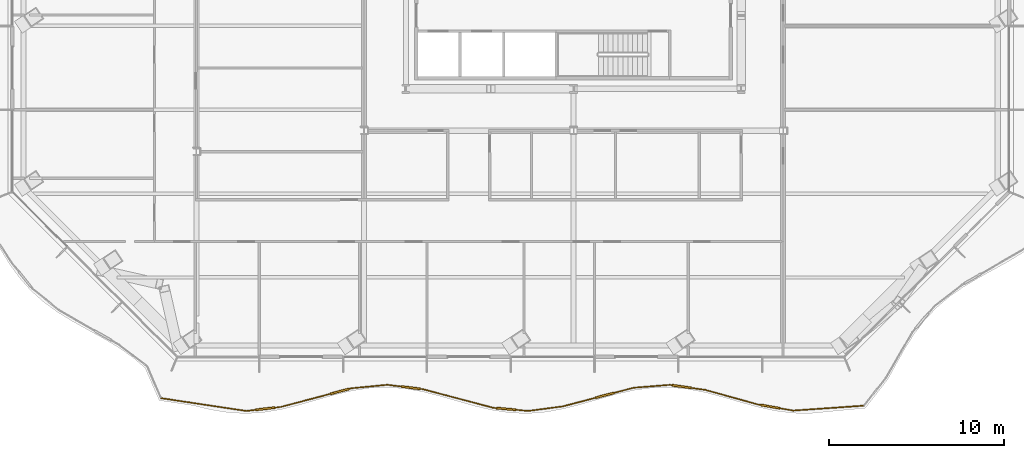
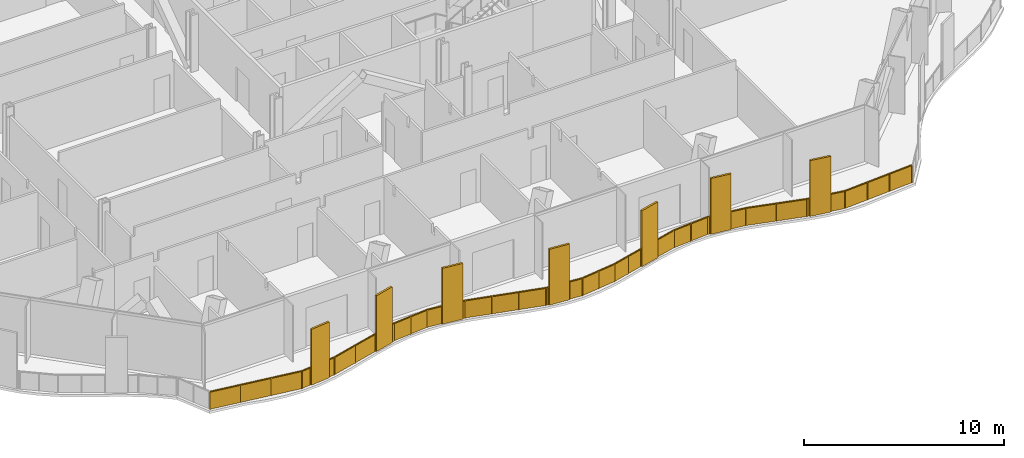
# One storey, part 13 of 20: 1 railing.
"""IFC4 building model written with IfcOpenShell, lengths in metres."""

from ifc_helpers import new_model, si_unit, direction, frame, origin, origin_2d, place, context, subcontext, project, spatial, polyline, rectangle, outline, extrude, material, type_object, element, save


model = new_model("IFC4")

# Units and contexts
model_context = context("Model", 3, precision=1e-05, world=origin(), true_north=direction((0.0, 1.0)))
body_context = subcontext(model_context, "Body", "Model", "MODEL_VIEW")
ifc_project = project(units=[si_unit("LENGTHUNIT", "METRE"), si_unit("AREAUNIT", "SQUARE_METRE"), si_unit("VOLUMEUNIT", "CUBIC_METRE"), si_unit("PLANEANGLEUNIT", "RADIAN"), si_unit("MASSUNIT", "GRAM", prefix="KILO")], contexts=[model_context])

# Site, building, storey
site_placement = place(None, origin())
site = spatial("IfcSite", under=ifc_project, at=site_placement, CompositionType="ELEMENT")
building_placement = place(site_placement, origin())
building = spatial("IfcBuilding", under=site, at=building_placement, Name="Cairn Pilgrim Tower", CompositionType="ELEMENT")
storey_placement = place(building_placement, frame((0.0, 0.0, 101.39990234375)))
storey = spatial("IfcBuildingStorey", under=building, at=storey_placement, Name="L24", CompositionType="ELEMENT", Elevation=101.39990234375)

# Railing
ifc_material = material(Name="Bronze anodised aluminium rail, posts and fin screens with laminated glass infill", Category="aluminium")
railing_type = type_object("IfcRailingType", Name="BALCONY GUARD WITH FIN SCREENS", PredefinedType="GUARDRAIL", material=ifc_material)
railing_placement = place(storey_placement, frame((-16.427734375, -23.714111328125, 0.0)))
element("IfcRailing", 1, at=railing_placement, inside=storey, type_object=railing_type, Name="Balcony guard BGF-1 with fin screens", PredefinedType="GUARDRAIL", context=body_context, shape_type="SweptSolid", body=[
    extrude(rectangle(XDim=0.050048828125, YDim=0.050048828125, at=origin_2d()), frame((0.0, 0.0, 1.0751953125), z_axis=(0.988832173269, -0.14903332885, 0.0), x_axis=(0.14903332885, 0.988832173269, 0.0)), (0.0, 0.0, 1.0), 4.927490234375),
    extrude(rectangle(XDim=1.10009765625, YDim=0.110107421875, at=origin_2d()), frame((5.97021484375, -0.60791015625, 0.0), z_axis=(0.0, 0.0, 1.0), x_axis=(0.993432928059, 0.114415984232, 0.0)), (0.0, 0.0, 1.0), 3.39990234375),
    extrude(rectangle(XDim=0.050048828125, YDim=0.050048828125, at=origin_2d()), frame((4.87255859375, -0.734375, 1.0751953125), z_axis=(0.993432928059, 0.114415984232, 0.0), x_axis=(-0.114415984232, 0.993432928059, 0.0)), (0.0, 0.0, 1.0), 0.554931640625),
    extrude(rectangle(XDim=0.050048828125, YDim=0.050048828125, at=origin_2d()), frame((6.5166015625, -0.544921875, 1.0751953125), z_axis=(0.993432928059, 0.114415984232, 0.0), x_axis=(-0.114415984232, 0.993432928059, 0.0)), (0.0, 0.0, 1.0), 0.3486328125),
    extrude(rectangle(XDim=1.10009765625, YDim=0.110107421875, at=origin_2d()), frame((10.2294921875, 0.385009765625, 0.0), z_axis=(0.0, 0.0, 1.0), x_axis=(0.966774423228, 0.255631012579, 0.0)), (0.0, 0.0, 1.0), 3.39990234375),
    extrude(rectangle(XDim=0.050048828125, YDim=0.050048828125, at=origin_2d()), frame((6.863037109375, -0.505126953125, 1.0751953125), z_axis=(0.966774423228, 0.255631012579, 0.0), x_axis=(-0.255631012579, 0.966774423228, 0.0)), (0.0, 0.0, 1.0), 2.932373046875),
    extrude(rectangle(XDim=0.050048828125, YDim=0.050048828125, at=origin_2d()), frame((10.76123046875, 0.525634765625, 1.0751953125), z_axis=(0.966774423228, 0.255631012579, 0.0), x_axis=(-0.255631012579, 0.966774423228, 0.0)), (0.0, 0.0, 1.0), 0.14990234375),
    extrude(rectangle(XDim=0.050048828125, YDim=0.050048828125, at=origin_2d()), frame((10.90625, 0.56396484375, 1.0751953125), z_axis=(0.995264569772, 0.097203066605, 0.0), x_axis=(-0.097203066605, 0.995264569772, 0.0)), (0.0, 0.0, 1.0), 2.0595703125),
    extrude(rectangle(XDim=1.10009765625, YDim=0.110107421875, at=origin_2d()), frame((14.308837890625, 0.5966796875, 0.0), z_axis=(0.0, 0.0, 1.0), x_axis=(0.992413807438, -0.122942404427, 0.0)), (0.0, 0.0, 1.0), 3.39990234375),
    extrude(rectangle(XDim=0.050048828125, YDim=0.050048828125, at=origin_2d()), frame((12.9560546875, 0.76416015625, 1.0751953125), z_axis=(0.992413807438, -0.122942404427, 0.0), x_axis=(0.122942404427, 0.992413807438, 0.0)), (0.0, 0.0, 1.0), 0.813232421875),
    extrude(rectangle(XDim=0.050048828125, YDim=0.050048828125, at=origin_2d()), frame((14.854736328125, 0.529052734375, 1.0751953125), z_axis=(0.992413807438, -0.122942404427, 0.0), x_axis=(0.122942404427, 0.992413807438, 0.0)), (0.0, 0.0, 1.0), 0.150146484375),
    extrude(rectangle(XDim=0.050048828125, YDim=0.050048828125, at=origin_2d()), frame((15.003662109375, 0.510498046875, 1.0751953125), z_axis=(0.966875925822, -0.255246829686, 0.0), x_axis=(0.255246829686, 0.966875925822, 0.0)), (0.0, 0.0, 1.0), 4.177978515625),
    extrude(rectangle(XDim=1.10009765625, YDim=0.110107421875, at=origin_2d()), frame((19.76318359375, -0.61962890625, 0.0), z_axis=(0.0, 0.0, 1.0), x_axis=(0.99609581812, -0.088278656105, 0.0)), (0.0, 0.0, 1.0), 3.39990234375),
    extrude(rectangle(XDim=0.050048828125, YDim=0.050048828125, at=origin_2d()), frame((19.043212890625, -0.555908203125, 1.0751953125), z_axis=(0.99609581812, -0.088278656105, 0.0), x_axis=(0.088278656105, 0.99609581812, 0.0)), (0.0, 0.0, 1.0), 0.1728515625),
    extrude(rectangle(XDim=0.050048828125, YDim=0.050048828125, at=origin_2d()), frame((20.31103515625, -0.668212890625, 1.0751953125), z_axis=(0.99609581812, -0.088278656105, 0.0), x_axis=(0.088278656105, 0.99609581812, 0.0)), (0.0, 0.0, 1.0), 0.7265625),
    extrude(rectangle(XDim=0.050048828125, YDim=0.050048828125, at=origin_2d()), frame((21.034912109375, -0.732421875, 1.0751953125), z_axis=(0.991366131511, 0.13112281759, 0.0), x_axis=(-0.13112281759, 0.991366131511, 0.0)), (0.0, 0.0, 1.0), 2.0126953125),
    extrude(rectangle(XDim=1.10009765625, YDim=0.110107421875, at=origin_2d()), frame((25.408447265625, 0.15771484375, 0.0), z_axis=(0.0, 0.0, 1.0), x_axis=(0.967046563714, 0.254599575035, 0.0)), (0.0, 0.0, 1.0), 3.39990234375),
    extrude(rectangle(XDim=0.050048828125, YDim=0.050048828125, at=origin_2d()), frame((23.0302734375, -0.468505859375, 1.0751953125), z_axis=(0.967046563714, 0.254599575035, 0.0), x_axis=(-0.254599575035, 0.967046563714, 0.0)), (0.0, 0.0, 1.0), 1.909423828125),
    extrude(rectangle(XDim=0.050048828125, YDim=0.050048828125, at=origin_2d()), frame((25.9404296875, 0.297607421875, 1.0751953125), z_axis=(0.967046563714, 0.254599575035, 0.0), x_axis=(-0.254599575035, 0.967046563714, 0.0)), (0.0, 0.0, 1.0), 1.174560546875),
    extrude(rectangle(XDim=0.050048828125, YDim=0.050048828125, at=origin_2d()), frame((27.076171875, 0.5966796875, 1.0751953125), z_axis=(0.996843515889, 0.07939146573, 0.0), x_axis=(-0.07939146573, 0.996843515889, 0.0)), (0.0, 0.0, 1.0), 2.057373046875),
    extrude(rectangle(XDim=1.10009765625, YDim=0.110107421875, at=origin_2d()), frame((29.820068359375, 0.662353515625, 0.0), z_axis=(0.0, 0.0, 1.0), x_axis=(0.990242578632, -0.139354352151, 0.0)), (0.0, 0.0, 1.0), 3.39990234375),
    extrude(rectangle(XDim=0.050048828125, YDim=0.050048828125, at=origin_2d()), frame((29.126953125, 0.760009765625, 1.0751953125), z_axis=(0.990242578632, -0.139354352151, 0.0), x_axis=(0.139354352151, 0.990242578632, 0.0)), (0.0, 0.0, 1.0), 0.150146484375),
    extrude(rectangle(XDim=0.050048828125, YDim=0.050048828125, at=origin_2d()), frame((30.36474609375, 0.585693359375, 1.0751953125), z_axis=(0.990242578632, -0.139354352151, 0.0), x_axis=(0.139354352151, 0.990242578632, 0.0)), (0.0, 0.0, 1.0), 0.817138671875),
    extrude(rectangle(XDim=0.050048828125, YDim=0.050048828125, at=origin_2d()), frame((31.174072265625, 0.471923828125, 1.0751953125), z_axis=(0.963756408174, -0.266783780809, 0.0), x_axis=(0.266783780809, 0.963756408174, 0.0)), (0.0, 0.0, 1.0), 3.14794921875),
    extrude(rectangle(XDim=1.10009765625, YDim=0.110107421875, at=origin_2d()), frame((34.897705078125, -0.48681640625, 0.0), z_axis=(0.0, 0.0, 1.0), x_axis=(0.985449674135, -0.169967466732, 0.0)), (0.0, 0.0, 1.0), 3.39990234375),
    extrude(rectangle(XDim=0.050048828125, YDim=0.050048828125, at=origin_2d()), frame((34.2080078125, -0.367919921875, 1.0751953125), z_axis=(0.985449674135, -0.169967466732, 0.0), x_axis=(0.169967466732, 0.985449674135, 0.0)), (0.0, 0.0, 1.0), 0.14990234375),
    extrude(rectangle(XDim=0.050048828125, YDim=0.050048828125, at=origin_2d()), frame((35.439697265625, -0.580322265625, 1.0751953125), z_axis=(0.985449674135, -0.169967466732, 0.0), x_axis=(0.169967466732, 0.985449674135, 0.0)), (0.0, 0.0, 1.0), 0.775390625),
    extrude(rectangle(XDim=0.050048828125, YDim=0.050048828125, at=origin_2d()), frame((36.203857421875, -0.712158203125, 1.0751953125), z_axis=(0.997623408225, 0.068902361081, 0.0), x_axis=(-0.068902361081, 0.997623408225, 0.0)), (0.0, 0.0, 1.0), 4.010986328125),
    extrude(rectangle(XDim=0.050048828125, YDim=0.050048828125, at=origin_2d()), origin(), (0.0, 0.0, 1.0), 1.050048828125),
    extrude(rectangle(XDim=0.050048828125, YDim=0.050048828125, at=origin_2d()), frame((1.624267578125, -0.244873046875, 0.0)), (0.0, 0.0, 1.0), 1.050048828125),
    extrude(rectangle(XDim=0.050048828125, YDim=0.050048828125, at=origin_2d()), frame((3.248291015625, -0.489501953125, 0.0)), (0.0, 0.0, 1.0), 1.050048828125),
    extrude(rectangle(XDim=0.050048828125, YDim=0.050048828125, at=origin_2d()), frame((4.87255859375, -0.734375, 0.0)), (0.0, 0.0, 1.0), 1.050048828125),
    extrude(rectangle(XDim=0.050048828125, YDim=0.050048828125, at=origin_2d()), frame((5.39892578125, -0.673828125, 0.0)), (0.0, 0.0, 1.0), 1.050048828125),
    extrude(rectangle(XDim=0.050048828125, YDim=0.050048828125, at=origin_2d()), frame((6.54150390625, -0.542236328125, 0.0)), (0.0, 0.0, 1.0), 1.050048828125),
    extrude(rectangle(XDim=0.050048828125, YDim=0.050048828125, at=origin_2d()), frame((6.863037109375, -0.505126953125, 0.0)), (0.0, 0.0, 1.0), 1.050048828125),
    extrude(rectangle(XDim=0.050048828125, YDim=0.050048828125, at=origin_2d()), frame((8.268310546875, -0.133544921875, 0.0)), (0.0, 0.0, 1.0), 1.050048828125),
    extrude(rectangle(XDim=0.050048828125, YDim=0.050048828125, at=origin_2d()), frame((9.673583984375, 0.238037109375, 0.0)), (0.0, 0.0, 1.0), 1.050048828125),
    extrude(rectangle(XDim=0.050048828125, YDim=0.050048828125, at=origin_2d()), frame((10.78564453125, 0.531982421875, 0.0)), (0.0, 0.0, 1.0), 1.050048828125),
    extrude(rectangle(XDim=0.050048828125, YDim=0.050048828125, at=origin_2d()), frame((10.90625, 0.56396484375, 0.0)), (0.0, 0.0, 1.0), 1.050048828125),
    extrude(rectangle(XDim=0.050048828125, YDim=0.050048828125, at=origin_2d()), frame((11.93115234375, 0.6640625, 0.0)), (0.0, 0.0, 1.0), 1.050048828125),
    extrude(rectangle(XDim=0.050048828125, YDim=0.050048828125, at=origin_2d()), frame((12.9560546875, 0.76416015625, 0.0)), (0.0, 0.0, 1.0), 1.050048828125),
    extrude(rectangle(XDim=0.050048828125, YDim=0.050048828125, at=origin_2d()), frame((13.73828125, 0.667236328125, 0.0)), (0.0, 0.0, 1.0), 1.050048828125),
    extrude(rectangle(XDim=0.050048828125, YDim=0.050048828125, at=origin_2d()), frame((14.879638671875, 0.52587890625, 0.0)), (0.0, 0.0, 1.0), 1.050048828125),
    extrude(rectangle(XDim=0.050048828125, YDim=0.050048828125, at=origin_2d()), frame((15.003662109375, 0.510498046875, 0.0)), (0.0, 0.0, 1.0), 1.050048828125),
    extrude(rectangle(XDim=0.050048828125, YDim=0.050048828125, at=origin_2d()), frame((16.35009765625, 0.155029296875, 0.0)), (0.0, 0.0, 1.0), 1.050048828125),
    extrude(rectangle(XDim=0.050048828125, YDim=0.050048828125, at=origin_2d()), frame((17.69677734375, -0.200439453125, 0.0)), (0.0, 0.0, 1.0), 1.050048828125),
    extrude(rectangle(XDim=0.050048828125, YDim=0.050048828125, at=origin_2d()), frame((19.043212890625, -0.555908203125, 0.0)), (0.0, 0.0, 1.0), 1.050048828125),
    extrude(rectangle(XDim=0.050048828125, YDim=0.050048828125, at=origin_2d()), frame((19.1904296875, -0.56884765625, 0.0)), (0.0, 0.0, 1.0), 1.050048828125),
    extrude(rectangle(XDim=0.050048828125, YDim=0.050048828125, at=origin_2d()), frame((20.3359375, -0.67041015625, 0.0)), (0.0, 0.0, 1.0), 1.050048828125),
    extrude(rectangle(XDim=0.050048828125, YDim=0.050048828125, at=origin_2d()), frame((21.034912109375, -0.732421875, 0.0)), (0.0, 0.0, 1.0), 1.050048828125),
    extrude(rectangle(XDim=0.050048828125, YDim=0.050048828125, at=origin_2d()), frame((22.03271484375, -0.6005859375, 0.0)), (0.0, 0.0, 1.0), 1.050048828125),
    extrude(rectangle(XDim=0.050048828125, YDim=0.050048828125, at=origin_2d()), frame((23.0302734375, -0.468505859375, 0.0)), (0.0, 0.0, 1.0), 1.050048828125),
    extrude(rectangle(XDim=0.050048828125, YDim=0.050048828125, at=origin_2d()), frame((23.94140625, -0.228515625, 0.0)), (0.0, 0.0, 1.0), 1.050048828125),
    extrude(rectangle(XDim=0.050048828125, YDim=0.050048828125, at=origin_2d()), frame((24.8525390625, 0.01123046875, 0.0)), (0.0, 0.0, 1.0), 1.050048828125),
    extrude(rectangle(XDim=0.050048828125, YDim=0.050048828125, at=origin_2d()), frame((25.964599609375, 0.303955078125, 0.0)), (0.0, 0.0, 1.0), 1.050048828125),
    extrude(rectangle(XDim=0.050048828125, YDim=0.050048828125, at=origin_2d()), frame((27.076171875, 0.5966796875, 0.0)), (0.0, 0.0, 1.0), 1.050048828125),
    extrude(rectangle(XDim=0.050048828125, YDim=0.050048828125, at=origin_2d()), frame((28.1015625, 0.67822265625, 0.0)), (0.0, 0.0, 1.0), 1.050048828125),
    extrude(rectangle(XDim=0.050048828125, YDim=0.050048828125, at=origin_2d()), frame((29.126953125, 0.760009765625, 0.0)), (0.0, 0.0, 1.0), 1.050048828125),
    extrude(rectangle(XDim=0.050048828125, YDim=0.050048828125, at=origin_2d()), frame((29.250732421875, 0.74267578125, 0.0)), (0.0, 0.0, 1.0), 1.050048828125),
    extrude(rectangle(XDim=0.050048828125, YDim=0.050048828125, at=origin_2d()), frame((30.3896484375, 0.582275390625, 0.0)), (0.0, 0.0, 1.0), 1.050048828125),
    extrude(rectangle(XDim=0.050048828125, YDim=0.050048828125, at=origin_2d()), frame((31.174072265625, 0.471923828125, 0.0)), (0.0, 0.0, 1.0), 1.050048828125),
    extrude(rectangle(XDim=0.050048828125, YDim=0.050048828125, at=origin_2d()), frame((32.69091796875, 0.052001953125, 0.0)), (0.0, 0.0, 1.0), 1.050048828125),
    extrude(rectangle(XDim=0.050048828125, YDim=0.050048828125, at=origin_2d()), frame((34.2080078125, -0.367919921875, 0.0)), (0.0, 0.0, 1.0), 1.050048828125),
    extrude(rectangle(XDim=0.050048828125, YDim=0.050048828125, at=origin_2d()), frame((34.3310546875, -0.38916015625, 0.0)), (0.0, 0.0, 1.0), 1.050048828125),
    extrude(rectangle(XDim=0.050048828125, YDim=0.050048828125, at=origin_2d()), frame((35.46435546875, -0.584716796875, 0.0)), (0.0, 0.0, 1.0), 1.050048828125),
    extrude(rectangle(XDim=0.050048828125, YDim=0.050048828125, at=origin_2d()), frame((36.203857421875, -0.712158203125, 0.0)), (0.0, 0.0, 1.0), 1.050048828125),
    extrude(rectangle(XDim=0.050048828125, YDim=0.050048828125, at=origin_2d()), frame((37.53759765625, -0.6201171875, 0.0)), (0.0, 0.0, 1.0), 1.050048828125),
    extrude(rectangle(XDim=0.050048828125, YDim=0.050048828125, at=origin_2d()), frame((38.87158203125, -0.52783203125, 0.0)), (0.0, 0.0, 1.0), 1.050048828125),
    extrude(rectangle(XDim=0.050048828125, YDim=0.050048828125, at=origin_2d()), frame((40.205322265625, -0.435791015625, 0.0)), (0.0, 0.0, 1.0), 1.050048828125),
    extrude(outline(polyline([(0.02490234375, 0.0), (1.617431640625, 0.0), (1.617431640625, 1.050048828125), (0.02490234375, 1.050048828125), (0.02490234375, 0.0)])), frame((0.0009765625, 0.005859375, 0.0), z_axis=(-0.14903332885, -0.988832173269, 0.0), x_axis=(0.988832173269, -0.14903332885, 0.0)), (0.0, 0.0, 1.0), 0.011962890625),
    extrude(outline(polyline([(0.02490234375, 0.0), (1.617431640625, 0.0), (1.617431640625, 1.050048828125), (0.02490234375, 1.050048828125), (0.02490234375, 0.0)])), frame((1.625, -0.23876953125, 0.0), z_axis=(-0.14903332885, -0.988832173269, 0.0), x_axis=(0.988832173269, -0.14903332885, 0.0)), (0.0, 0.0, 1.0), 0.011962890625),
    extrude(outline(polyline([(0.02490234375, 0.0), (1.617431640625, 0.0), (1.617431640625, 1.050048828125), (0.02490234375, 1.050048828125), (0.02490234375, 0.0)])), frame((3.249267578125, -0.483642578125, 0.0), z_axis=(-0.14903332885, -0.988832173269, 0.0), x_axis=(0.988832173269, -0.14903332885, 0.0)), (0.0, 0.0, 1.0), 0.011962890625),
    extrude(outline(polyline([(0.02490234375, 0.0), (0.5048828125, 0.0), (0.5048828125, 1.050048828125), (0.02490234375, 1.050048828125), (0.02490234375, 0.0)])), frame((4.871826171875, -0.728515625, 0.0), z_axis=(0.114415984232, -0.993432928059, 0.0), x_axis=(0.993432928059, 0.114415984232, 0.0)), (0.0, 0.0, 1.0), 0.011962890625),
    extrude(outline(polyline([(0.02490234375, 0.0), (0.298583984375, 0.0), (0.298583984375, 1.050048828125), (0.02490234375, 1.050048828125), (0.02490234375, 0.0)])), frame((6.540771484375, -0.5361328125, 0.0), z_axis=(0.114415984232, -0.993432928059, 0.0), x_axis=(0.993432928059, 0.114415984232, 0.0)), (0.0, 0.0, 1.0), 0.011962890625),
    extrude(outline(polyline([(0.02490234375, 0.0), (1.4287109375, 0.0), (1.4287109375, 1.050048828125), (0.02490234375, 1.050048828125), (0.02490234375, 0.0)])), frame((6.861572265625, -0.499267578125, 0.0), z_axis=(0.255631012579, -0.966774423228, 0.0), x_axis=(0.966774423228, 0.255631012579, 0.0)), (0.0, 0.0, 1.0), 0.011962890625),
    extrude(outline(polyline([(0.02490234375, 0.0), (1.4287109375, 0.0), (1.4287109375, 1.050048828125), (0.02490234375, 1.050048828125), (0.02490234375, 0.0)])), frame((8.266845703125, -0.127685546875, 0.0), z_axis=(0.255631012579, -0.966774423228, 0.0), x_axis=(0.966774423228, 0.255631012579, 0.0)), (0.0, 0.0, 1.0), 0.011962890625),
    extrude(outline(polyline([(0.02490234375, 0.0), (0.099853515625, 0.0), (0.099853515625, 1.050048828125), (0.02490234375, 1.050048828125), (0.02490234375, 0.0)])), frame((10.783935546875, 0.537841796875, 0.0), z_axis=(0.255631012579, -0.966774423228, 0.0), x_axis=(0.966774423228, 0.255631012579, 0.0)), (0.0, 0.0, 1.0), 0.011962890625),
    extrude(outline(polyline([(0.02490234375, 0.0), (1.004638671875, 0.0), (1.004638671875, 1.050048828125), (0.02490234375, 1.050048828125), (0.02490234375, 0.0)])), frame((10.90576171875, 0.56982421875, 0.0), z_axis=(0.097203066605, -0.995264569772, 0.0), x_axis=(0.995264569772, 0.097203066605, 0.0)), (0.0, 0.0, 1.0), 0.011962890625),
    extrude(outline(polyline([(0.02490234375, 0.0), (1.004638671875, 0.0), (1.004638671875, 1.050048828125), (0.02490234375, 1.050048828125), (0.02490234375, 0.0)])), frame((11.9306640625, 0.669921875, 0.0), z_axis=(0.097203066605, -0.995264569772, 0.0), x_axis=(0.995264569772, 0.097203066605, 0.0)), (0.0, 0.0, 1.0), 0.011962890625),
    extrude(outline(polyline([(0.02490234375, 0.0), (0.76318359375, 0.0), (0.76318359375, 1.050048828125), (0.02490234375, 1.050048828125), (0.02490234375, 0.0)])), frame((12.956787109375, 0.77001953125, 0.0), z_axis=(-0.122942404427, -0.992413807438, 0.0), x_axis=(0.992413807438, -0.122942404427, 0.0)), (0.0, 0.0, 1.0), 0.011962890625),
    extrude(outline(polyline([(0.02490234375, 0.0), (0.10009765625, 0.0), (0.10009765625, 1.050048828125), (0.02490234375, 1.050048828125), (0.02490234375, 0.0)])), frame((14.88037109375, 0.53173828125, 0.0), z_axis=(-0.122942404427, -0.992413807438, 0.0), x_axis=(0.992413807438, -0.122942404427, 0.0)), (0.0, 0.0, 1.0), 0.011962890625),
    extrude(outline(polyline([(0.02490234375, 0.0), (1.36767578125, 0.0), (1.36767578125, 1.050048828125), (0.02490234375, 1.050048828125), (0.02490234375, 0.0)])), frame((15.005126953125, 0.516357421875, 0.0), z_axis=(-0.255246829686, -0.966875925822, 0.0), x_axis=(0.966875925822, -0.255246829686, 0.0)), (0.0, 0.0, 1.0), 0.011962890625),
    extrude(outline(polyline([(0.02490234375, 0.0), (1.36767578125, 0.0), (1.36767578125, 1.050048828125), (0.02490234375, 1.050048828125), (0.02490234375, 0.0)])), frame((16.351806640625, 0.160888671875, 0.0), z_axis=(-0.255246829686, -0.966875925822, 0.0), x_axis=(0.966875925822, -0.255246829686, 0.0)), (0.0, 0.0, 1.0), 0.011962890625),
    extrude(outline(polyline([(0.02490234375, 0.0), (1.36767578125, 0.0), (1.36767578125, 1.050048828125), (0.02490234375, 1.050048828125), (0.02490234375, 0.0)])), frame((17.6982421875, -0.194580078125, 0.0), z_axis=(-0.255246829686, -0.966875925822, 0.0), x_axis=(0.966875925822, -0.255246829686, 0.0)), (0.0, 0.0, 1.0), 0.011962890625),
    extrude(outline(polyline([(0.02490234375, 0.0), (0.122802734375, 0.0), (0.122802734375, 1.050048828125), (0.02490234375, 1.050048828125), (0.02490234375, 0.0)])), frame((19.043701171875, -0.550048828125, 0.0), z_axis=(-0.088278656105, -0.99609581812, 0.0), x_axis=(0.99609581812, -0.088278656105, 0.0)), (0.0, 0.0, 1.0), 0.011962890625),
    extrude(outline(polyline([(0.02490234375, 0.0), (0.676513671875, 0.0), (0.676513671875, 1.050048828125), (0.02490234375, 1.050048828125), (0.02490234375, 0.0)])), frame((20.33642578125, -0.66455078125, 0.0), z_axis=(-0.088278656105, -0.99609581812, 0.0), x_axis=(0.99609581812, -0.088278656105, 0.0)), (0.0, 0.0, 1.0), 0.011962890625),
    extrude(outline(polyline([(0.02490234375, 0.0), (0.9814453125, 0.0), (0.9814453125, 1.050048828125), (0.02490234375, 1.050048828125), (0.02490234375, 0.0)])), frame((21.0341796875, -0.7265625, 0.0), z_axis=(0.13112281759, -0.991366131511, 0.0), x_axis=(0.991366131511, 0.13112281759, 0.0)), (0.0, 0.0, 1.0), 0.011962890625),
    extrude(outline(polyline([(0.02490234375, 0.0), (0.9814453125, 0.0), (0.9814453125, 1.050048828125), (0.02490234375, 1.050048828125), (0.02490234375, 0.0)])), frame((22.03173828125, -0.594482421875, 0.0), z_axis=(0.13112281759, -0.991366131511, 0.0), x_axis=(0.991366131511, 0.13112281759, 0.0)), (0.0, 0.0, 1.0), 0.011962890625),
    extrude(outline(polyline([(0.02490234375, 0.0), (0.917236328125, 0.0), (0.917236328125, 1.050048828125), (0.02490234375, 1.050048828125), (0.02490234375, 0.0)])), frame((23.02880859375, -0.462646484375, 0.0), z_axis=(0.254599575035, -0.967046563714, 0.0), x_axis=(0.967046563714, 0.254599575035, 0.0)), (0.0, 0.0, 1.0), 0.011962890625),
    extrude(outline(polyline([(0.02490234375, 0.0), (0.917236328125, 0.0), (0.917236328125, 1.050048828125), (0.02490234375, 1.050048828125), (0.02490234375, 0.0)])), frame((23.93994140625, -0.222900390625, 0.0), z_axis=(0.254599575035, -0.967046563714, 0.0), x_axis=(0.967046563714, 0.254599575035, 0.0)), (0.0, 0.0, 1.0), 0.011962890625),
    extrude(outline(polyline([(0.02490234375, 0.0), (1.12451171875, 0.0), (1.12451171875, 1.050048828125), (0.02490234375, 1.050048828125), (0.02490234375, 0.0)])), frame((25.963134765625, 0.309814453125, 0.0), z_axis=(0.254599575035, -0.967046563714, 0.0), x_axis=(0.967046563714, 0.254599575035, 0.0)), (0.0, 0.0, 1.0), 0.011962890625),
    extrude(outline(polyline([(0.02490234375, 0.0), (1.003662109375, 0.0), (1.003662109375, 1.050048828125), (0.02490234375, 1.050048828125), (0.02490234375, 0.0)])), frame((27.07568359375, 0.6025390625, 0.0), z_axis=(0.07939146573, -0.996843515889, 0.0), x_axis=(0.996843515889, 0.07939146573, 0.0)), (0.0, 0.0, 1.0), 0.011962890625),
    extrude(outline(polyline([(0.02490234375, 0.0), (1.003662109375, 0.0), (1.003662109375, 1.050048828125), (0.02490234375, 1.050048828125), (0.02490234375, 0.0)])), frame((28.10107421875, 0.684326171875, 0.0), z_axis=(0.07939146573, -0.996843515889, 0.0), x_axis=(0.996843515889, 0.07939146573, 0.0)), (0.0, 0.0, 1.0), 0.011962890625),
    extrude(outline(polyline([(0.02490234375, 0.0), (0.10009765625, 0.0), (0.10009765625, 1.050048828125), (0.02490234375, 1.050048828125), (0.02490234375, 0.0)])), frame((29.127685546875, 0.765869140625, 0.0), z_axis=(-0.139354352151, -0.990242578632, 0.0), x_axis=(0.990242578632, -0.139354352151, 0.0)), (0.0, 0.0, 1.0), 0.011962890625),
    extrude(outline(polyline([(0.02490234375, 0.0), (0.76708984375, 0.0), (0.76708984375, 1.050048828125), (0.02490234375, 1.050048828125), (0.02490234375, 0.0)])), frame((30.390380859375, 0.588134765625, 0.0), z_axis=(-0.139354352151, -0.990242578632, 0.0), x_axis=(0.990242578632, -0.139354352151, 0.0)), (0.0, 0.0, 1.0), 0.011962890625),
    extrude(outline(polyline([(0.02490234375, 0.0), (1.549072265625, 0.0), (1.549072265625, 1.050048828125), (0.02490234375, 1.050048828125), (0.02490234375, 0.0)])), frame((31.17578125, 0.477783203125, 0.0), z_axis=(-0.266783780809, -0.963756408174, 0.0), x_axis=(0.963756408174, -0.266783780809, 0.0)), (0.0, 0.0, 1.0), 0.011962890625),
    extrude(outline(polyline([(0.02490234375, 0.0), (1.549072265625, 0.0), (1.549072265625, 1.050048828125), (0.02490234375, 1.050048828125), (0.02490234375, 0.0)])), frame((32.692626953125, 0.057861328125, 0.0), z_axis=(-0.266783780809, -0.963756408174, 0.0), x_axis=(0.963756408174, -0.266783780809, 0.0)), (0.0, 0.0, 1.0), 0.011962890625),
    extrude(outline(polyline([(0.02490234375, 0.0), (0.099853515625, 0.0), (0.099853515625, 1.050048828125), (0.02490234375, 1.050048828125), (0.02490234375, 0.0)])), frame((34.208984375, -0.362060546875, 0.0), z_axis=(-0.169967466732, -0.985449674135, 0.0), x_axis=(0.985449674135, -0.169967466732, 0.0)), (0.0, 0.0, 1.0), 0.011962890625),
    extrude(outline(polyline([(0.02490234375, 0.0), (0.725341796875, 0.0), (0.725341796875, 1.050048828125), (0.02490234375, 1.050048828125), (0.02490234375, 0.0)])), frame((35.46533203125, -0.57861328125, 0.0), z_axis=(-0.169967466732, -0.985449674135, 0.0), x_axis=(0.985449674135, -0.169967466732, 0.0)), (0.0, 0.0, 1.0), 0.011962890625),
    extrude(outline(polyline([(0.02490234375, 0.0), (1.31201171875, 0.0), (1.31201171875, 1.050048828125), (0.02490234375, 1.050048828125), (0.02490234375, 0.0)])), frame((36.203369140625, -0.706298828125, 0.0), z_axis=(0.068902361081, -0.997623408225, 0.0), x_axis=(0.997623408225, 0.068902361081, 0.0)), (0.0, 0.0, 1.0), 0.011962890625),
    extrude(outline(polyline([(0.02490234375, 0.0), (1.31201171875, 0.0), (1.31201171875, 1.050048828125), (0.02490234375, 1.050048828125), (0.02490234375, 0.0)])), frame((37.537353515625, -0.614013671875, 0.0), z_axis=(0.068902361081, -0.997623408225, 0.0), x_axis=(0.997623408225, 0.068902361081, 0.0)), (0.0, 0.0, 1.0), 0.011962890625),
    extrude(outline(polyline([(0.02490234375, 0.0), (1.31201171875, 0.0), (1.31201171875, 1.050048828125), (0.02490234375, 1.050048828125), (0.02490234375, 0.0)])), frame((38.87109375, -0.52197265625, 0.0), z_axis=(0.068902361081, -0.997623408225, 0.0), x_axis=(0.997623408225, 0.068902361081, 0.0)), (0.0, 0.0, 1.0), 0.011962890625),
])

save(model, "model.ifc")
